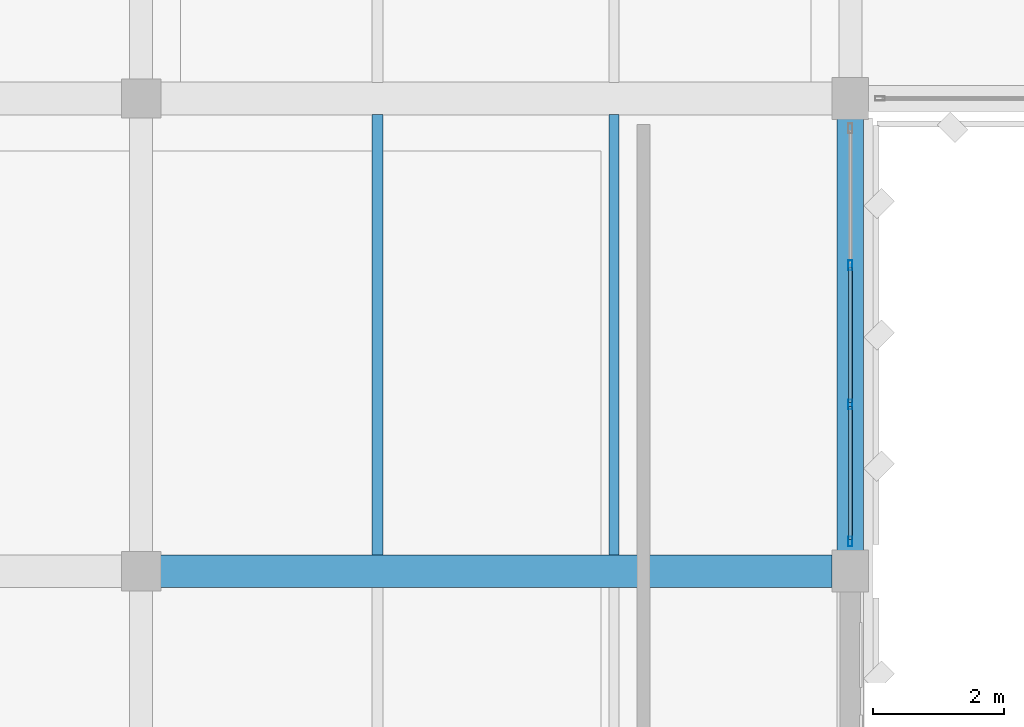
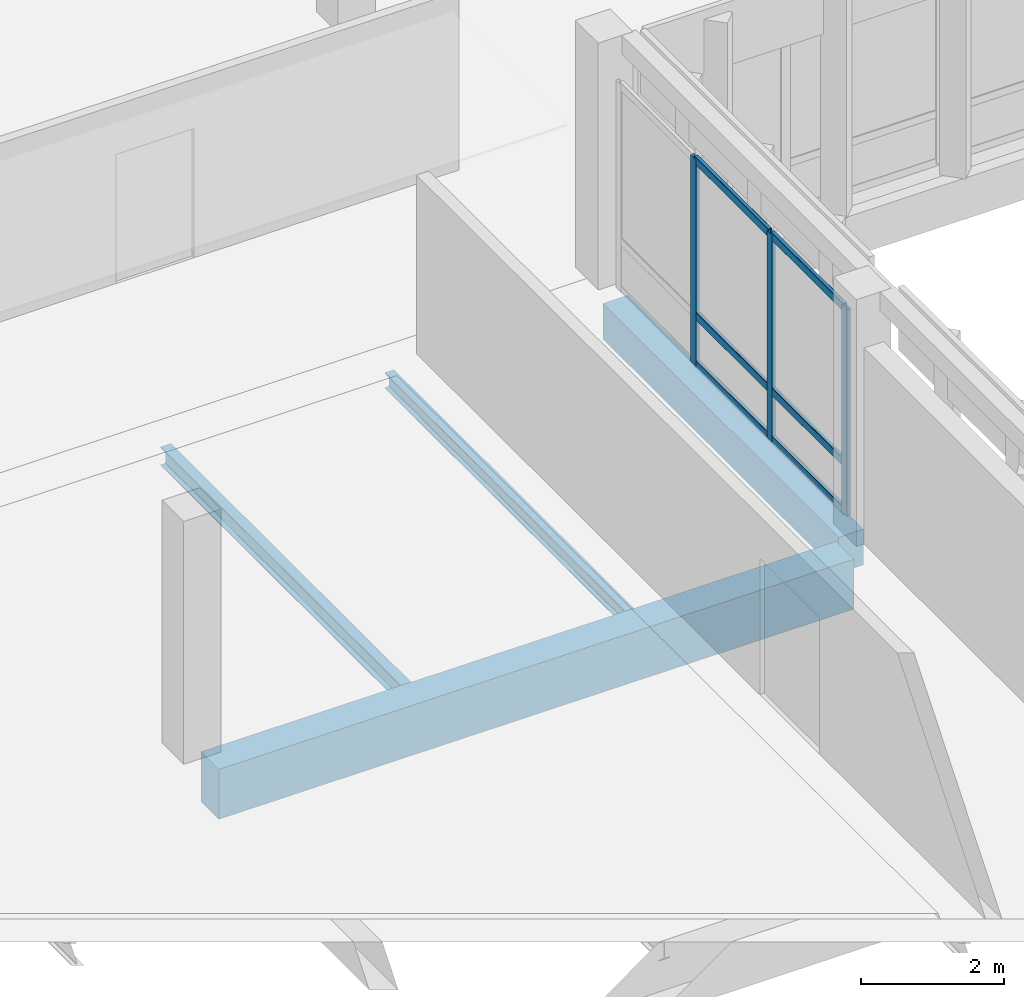
# One storey, part 38 of 158: 9 members, 4 beams, 1 element without a shape of its own.
"""IFC4 building model written with IfcOpenShell, lengths in metres."""

from ifc_helpers import new_model, si_unit, direction, frame, origin, origin_2d, place, context, subcontext, project, spatial, rectangle, hollow_rectangle, i_section, extrude, material, material_profile, profile_set, type_object, element, aggregate, save


model = new_model("IFC4")

# Units and contexts
model_context = context("Model", 3, precision=1e-05, world=origin(), true_north=direction((0.0, 1.0)))
body_context = subcontext(model_context, "Body", "Model", "MODEL_VIEW")
ifc_project = project(units=[si_unit("LENGTHUNIT", "METRE"), si_unit("AREAUNIT", "SQUARE_METRE"), si_unit("VOLUMEUNIT", "CUBIC_METRE"), si_unit("PLANEANGLEUNIT", "RADIAN"), si_unit("MASSUNIT", "GRAM", prefix="KILO")], contexts=[model_context])

# Site, building, storey
site_placement = place(None, origin())
site = spatial("IfcSite", under=ifc_project, at=site_placement, CompositionType="ELEMENT")
building_placement = place(site_placement, origin())
building = spatial("IfcBuilding", under=site, at=building_placement, Name="Lusvemor Sports Hall", CompositionType="ELEMENT")
storey_placement = place(building_placement, frame((0.0, 0.0, 10.800048828125)))
storey = spatial("IfcBuildingStorey", under=building, at=storey_placement, Name="L02", CompositionType="ELEMENT", Elevation=10.800048828125)

# Curtain wall, members
ifc_material_1 = material(Name="Thermally broken bronze-anodized aluminium", Category="aluminium")
curtain_wall_type = type_object("IfcCurtainWallType", Name="CW_WING_B", PredefinedType="NOTDEFINED", material=ifc_material_1)
curtain_wall_placement = place(storey_placement, origin())
curtain_wall = element("IfcCurtainWall", 1, at=curtain_wall_placement, inside=storey, type_object=curtain_wall_type, Name="Curtain Wall CW-L02-E-5-6", PredefinedType="NOTDEFINED")
ifc_material_2 = material(Name="Thermally broken bronze-anodized aluminium", Category="aluminium")
ifc_material_profile_1 = material_profile(ifc_material_2, hollow_rectangle(XDim=0.06494140625, YDim=0.14990234375, WallThickness=0.00390625, InnerFilletRadius=0.00390625, OuterFilletRadius=0.008056640625, at=origin_2d()), Name="CWMUL150x65x4")
ifc_profile_set_1 = profile_set([ifc_material_profile_1], Name="Thermally broken bronze-anodized aluminium")
member_type_1 = type_object("IfcMemberType", Name="CW_MUL_B", PredefinedType="MULLION", material=ifc_profile_set_1)
member_1_placement = place(storey_placement, frame((21.60009765625, 94.659912109375, 0.0), z_axis=(0.0, 0.0, 1.0), x_axis=(1.0, 0.0, 0.0)))
member_1 = element("IfcMember", 2, at=member_1_placement, type_object=member_type_1, Name="CW02 mullion 2", PredefinedType="MULLION", context=body_context, shape_type="SweptSolid", body=[
    extrude(hollow_rectangle(XDim=0.06494140625, YDim=0.14990234375, WallThickness=0.00390625, InnerFilletRadius=0.00390625, OuterFilletRadius=0.008056640625, at=origin_2d()), origin(), (0.0, 0.0, 1.0), 3.52001953125),
])
member_2_placement = place(storey_placement, frame((21.60009765625, 92.5400390625, 0.0), z_axis=(0.0, 0.0, 1.0), x_axis=(1.0, 0.0, 0.0)))
member_2 = element("IfcMember", 3, at=member_2_placement, type_object=member_type_1, Name="CW02 mullion 3", PredefinedType="MULLION", context=body_context, shape_type="SweptSolid", body=[
    extrude(hollow_rectangle(XDim=0.06494140625, YDim=0.14990234375, WallThickness=0.00390625, InnerFilletRadius=0.00390625, OuterFilletRadius=0.008056640625, at=origin_2d()), origin(), (0.0, 0.0, 1.0), 3.52001953125),
])
member_3_placement = place(storey_placement, frame((21.60009765625, 90.452392578125, 0.0), z_axis=(0.0, 0.0, 1.0), x_axis=(1.0, 0.0, 0.0)))
member_3 = element("IfcMember", 4, at=member_3_placement, type_object=member_type_1, Name="CW02 mullion 4", PredefinedType="MULLION", context=body_context, shape_type="SweptSolid", body=[
    extrude(hollow_rectangle(XDim=0.06494140625, YDim=0.14990234375, WallThickness=0.00390625, InnerFilletRadius=0.00390625, OuterFilletRadius=0.008056640625, at=origin_2d()), origin(), (0.0, 0.0, 1.0), 3.52001953125),
])
ifc_material_3 = material(Name="Thermally broken bronze-anodized aluminium", Category="aluminium")
ifc_material_profile_2 = material_profile(ifc_material_3, hollow_rectangle(XDim=0.06005859375, YDim=0.135009765625, WallThickness=0.00390625, InnerFilletRadius=0.00390625, OuterFilletRadius=0.008056640625, at=origin_2d()), Name="CWTRN135x60x4")
ifc_profile_set_2 = profile_set([ifc_material_profile_2], Name="Thermally broken bronze-anodized aluminium")
member_type_2 = type_object("IfcMemberType", Name="CW_TRN_B", PredefinedType="USERDEFINED", material=ifc_profile_set_2)
member_4_placement = place(storey_placement, frame((21.60009765625, 94.62744140625, 0.030029296875), z_axis=(0.0, -1.0, 0.0), x_axis=(1.0, 0.0, 0.0)))
member_4 = element("IfcMember", 5, at=member_4_placement, type_object=member_type_2, Name="CW02 transom 2.1", ObjectType="TRANSOM", PredefinedType="USERDEFINED", context=body_context, shape_type="SweptSolid", body=[
    extrude(hollow_rectangle(XDim=0.06005859375, YDim=0.135009765625, WallThickness=0.00390625, InnerFilletRadius=0.00390625, OuterFilletRadius=0.008056640625, at=origin_2d()), origin(), (0.0, 0.0, 1.0), 2.054931640625),
])
member_5_placement = place(storey_placement, frame((21.60009765625, 94.62744140625, 0.849853515625), z_axis=(0.0, -1.0, 0.0), x_axis=(1.0, 0.0, 0.0)))
member_5 = element("IfcMember", 6, at=member_5_placement, type_object=member_type_2, Name="CW02 transom 2.2", ObjectType="TRANSOM", PredefinedType="USERDEFINED", context=body_context, shape_type="SweptSolid", body=[
    extrude(hollow_rectangle(XDim=0.06005859375, YDim=0.135009765625, WallThickness=0.00390625, InnerFilletRadius=0.00390625, OuterFilletRadius=0.008056640625, at=origin_2d()), origin(), (0.0, 0.0, 1.0), 2.054931640625),
])
member_6_placement = place(storey_placement, frame((21.60009765625, 94.62744140625, 3.489990234375), z_axis=(0.0, -1.0, 0.0), x_axis=(1.0, 0.0, 0.0)))
member_6 = element("IfcMember", 7, at=member_6_placement, type_object=member_type_2, Name="CW02 transom 2.3", ObjectType="TRANSOM", PredefinedType="USERDEFINED", context=body_context, shape_type="SweptSolid", body=[
    extrude(hollow_rectangle(XDim=0.06005859375, YDim=0.135009765625, WallThickness=0.00390625, InnerFilletRadius=0.00390625, OuterFilletRadius=0.008056640625, at=origin_2d()), origin(), (0.0, 0.0, 1.0), 2.054931640625),
])
member_7_placement = place(storey_placement, frame((21.60009765625, 92.507568359375, 0.030029296875), z_axis=(0.0, -1.0, 0.0), x_axis=(1.0, 0.0, 0.0)))
member_7 = element("IfcMember", 8, at=member_7_placement, type_object=member_type_2, Name="CW02 transom 3.1", ObjectType="TRANSOM", PredefinedType="USERDEFINED", context=body_context, shape_type="SweptSolid", body=[
    extrude(hollow_rectangle(XDim=0.06005859375, YDim=0.135009765625, WallThickness=0.00390625, InnerFilletRadius=0.00390625, OuterFilletRadius=0.008056640625, at=origin_2d()), origin(), (0.0, 0.0, 1.0), 2.0224609375),
])
member_8_placement = place(storey_placement, frame((21.60009765625, 92.507568359375, 0.849853515625), z_axis=(0.0, -1.0, 0.0), x_axis=(1.0, 0.0, 0.0)))
member_8 = element("IfcMember", 9, at=member_8_placement, type_object=member_type_2, Name="CW02 transom 3.2", ObjectType="TRANSOM", PredefinedType="USERDEFINED", context=body_context, shape_type="SweptSolid", body=[
    extrude(hollow_rectangle(XDim=0.06005859375, YDim=0.135009765625, WallThickness=0.00390625, InnerFilletRadius=0.00390625, OuterFilletRadius=0.008056640625, at=origin_2d()), origin(), (0.0, 0.0, 1.0), 2.0224609375),
])
member_9_placement = place(storey_placement, frame((21.60009765625, 92.507568359375, 3.489990234375), z_axis=(0.0, -1.0, 0.0), x_axis=(1.0, 0.0, 0.0)))
member_9 = element("IfcMember", 10, at=member_9_placement, type_object=member_type_2, Name="CW02 transom 3.3", ObjectType="TRANSOM", PredefinedType="USERDEFINED", context=body_context, shape_type="SweptSolid", body=[
    extrude(hollow_rectangle(XDim=0.06005859375, YDim=0.135009765625, WallThickness=0.00390625, InnerFilletRadius=0.00390625, OuterFilletRadius=0.008056640625, at=origin_2d()), origin(), (0.0, 0.0, 1.0), 2.0224609375),
])
aggregate(curtain_wall, [member_1, member_2, member_3, member_4, member_5, member_6, member_7, member_8, member_9])

# Beams
ifc_material_4 = material(Name="Concrete C40/50", Category="concrete")
ifc_material_profile_3 = material_profile(ifc_material_4, rectangle(XDim=0.5, YDim=0.85009765625, at=origin_2d()), Name="RC500x850")
ifc_profile_set_3 = profile_set([ifc_material_profile_3], Name="Concrete C40/50")
beam_type_1 = type_object("IfcBeamType", Name="GIRD_RC_850", PredefinedType="T_BEAM", material=ifc_profile_set_3)
beam_1_placement = place(storey_placement, frame((11.095947265625, 90.0, -0.68505859375), z_axis=(1.0, 0.0, 0.0), x_axis=(0.0, 1.0, 0.0)))
element("IfcBeam", 11, at=beam_1_placement, inside=storey, type_object=beam_type_1, Name="Beam L02 M:2-3", PredefinedType="T_BEAM", context=body_context, shape_type="SweptSolid", body=[
    extrude(rectangle(XDim=0.5, YDim=0.85009765625, at=origin_2d()), origin(), (0.0, 0.0, 1.0), 10.22802734375),
])
ifc_material_5 = material(Name="Steel S355", Category="steel")
ifc_material_profile_4 = material_profile(ifc_material_5, i_section(OverallWidth=0.14794921875, OverallDepth=0.26611328125, WebThickness=0.007568359375, FlangeThickness=0.012939453125, FilletRadius=0.012939453125, at=origin_2d()), Name="W250x44.8")
ifc_profile_set_4 = profile_set([ifc_material_profile_4], Name="Steel S355")
beam_type_2 = type_object("IfcBeamType", Name="JOIST_ST_250M", PredefinedType="JOIST", material=ifc_profile_set_4)
beam_2_placement = place(storey_placement, frame((18.0, 90.24609375, -0.39697265625), z_axis=(0.0, 1.0, 0.0), x_axis=(-1.0, 0.0, 0.0)))
element("IfcBeam", 12, at=beam_2_placement, inside=storey, type_object=beam_type_2, Name="Secondary Joist L02 2-3/M-N #2", PredefinedType="JOIST", context=body_context, shape_type="SweptSolid", body=[
    extrude(i_section(OverallWidth=0.14794921875, OverallDepth=0.26611328125, WebThickness=0.007568359375, FlangeThickness=0.012939453125, FilletRadius=0.012939453125, at=origin_2d()), origin(), (0.0, 0.0, 1.0), 6.7080078125),
])
ifc_material_6 = material(Name="Steel S355", Category="steel")
ifc_material_profile_5 = material_profile(ifc_material_6, i_section(OverallWidth=0.1669921875, OverallDepth=0.31689453125, WebThickness=0.007568359375, FlangeThickness=0.01318359375, FilletRadius=0.014892578125, at=origin_2d()), Name="W310x52.0")
ifc_profile_set_5 = profile_set([ifc_material_profile_5], Name="Steel S355")
beam_type_3 = type_object("IfcBeamType", Name="JOIST_ST_310M", PredefinedType="JOIST", material=ifc_profile_set_5)
beam_3_placement = place(storey_placement, frame((14.39990234375, 90.24609375, -0.422607421875), z_axis=(0.0, 1.0, 0.0), x_axis=(-1.0, 0.0, 0.0)))
element("IfcBeam", 13, at=beam_3_placement, inside=storey, type_object=beam_type_3, Name="Secondary Joist L02 2-3/M-N #1", PredefinedType="JOIST", context=body_context, shape_type="SweptSolid", body=[
    extrude(i_section(OverallWidth=0.1669921875, OverallDepth=0.31689453125, WebThickness=0.007568359375, FlangeThickness=0.01318359375, FilletRadius=0.014892578125, at=origin_2d()), origin(), (0.0, 0.0, 1.0), 6.7080078125),
])
ifc_material_7 = material(Name="Concrete C40/50", Category="concrete")
ifc_material_profile_6 = material_profile(ifc_material_7, rectangle(XDim=0.39990234375, YDim=0.610107421875, at=origin_2d()), Name="RC400x610")
ifc_profile_set_6 = profile_set([ifc_material_profile_6], Name="Concrete C40/50")
beam_type_4 = type_object("IfcBeamType", Name="SPAND_EXT_650", PredefinedType="SPANDREL", material=ifc_profile_set_6)
beam_4_placement = place(storey_placement, frame((21.60009765625, 90.31591796875, -0.56494140625), z_axis=(0.0, 1.0, 0.0), x_axis=(-1.0, 0.0, 0.0)))
element("IfcBeam", 14, at=beam_4_placement, inside=storey, type_object=beam_type_4, Name="Beam L02 3:M-N", PredefinedType="SPANDREL", context=body_context, shape_type="SweptSolid", body=[
    extrude(rectangle(XDim=0.39990234375, YDim=0.610107421875, at=origin_2d()), origin(), (0.0, 0.0, 1.0), 6.568115234375),
])

save(model, "model.ifc")
